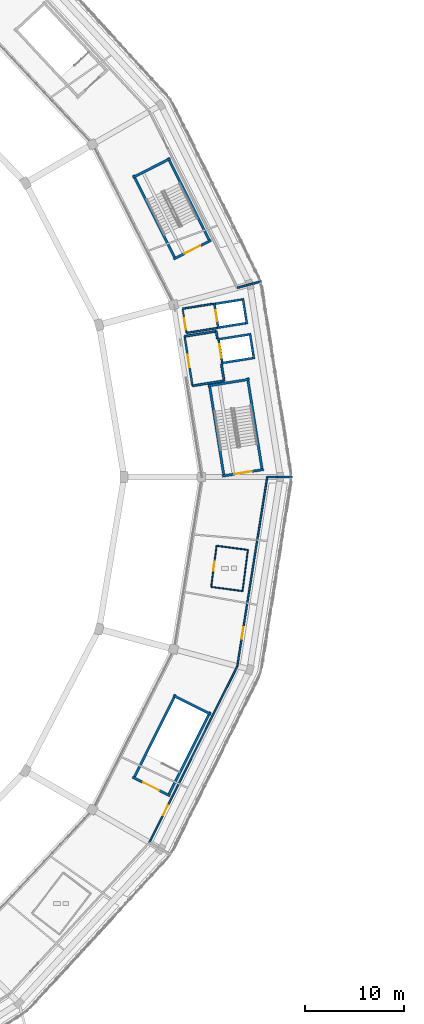
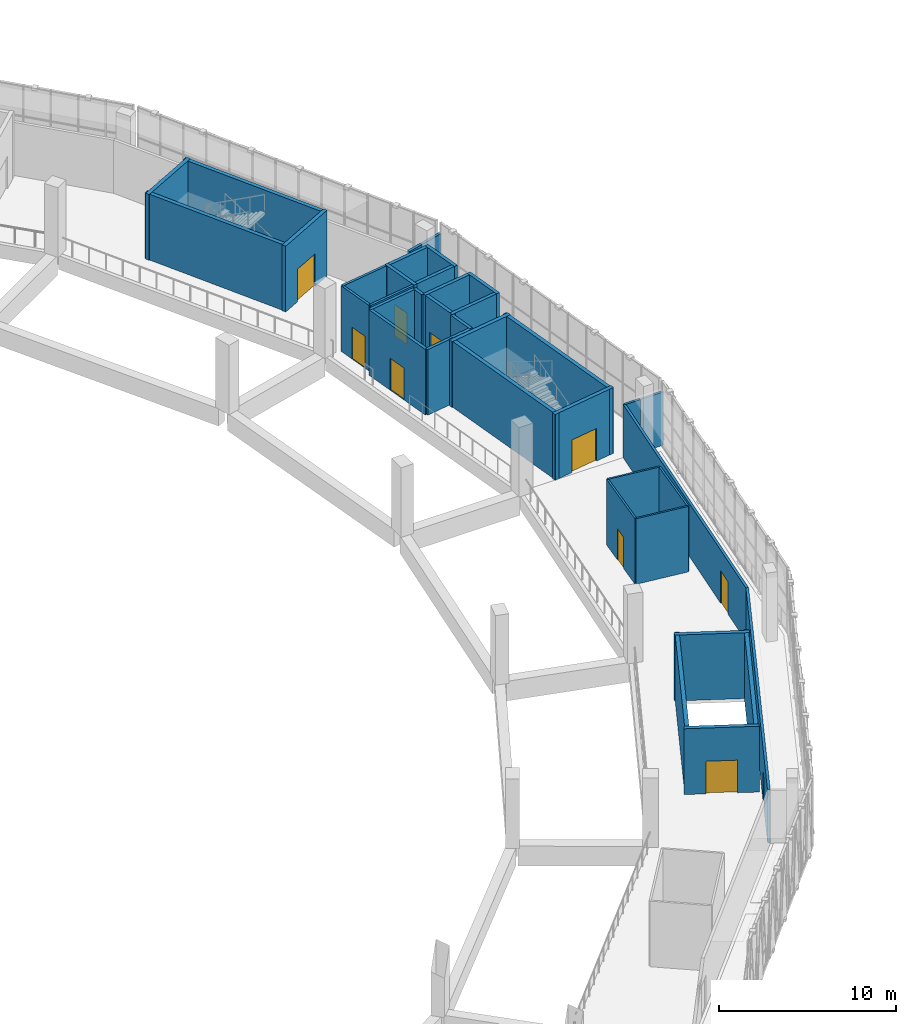
# One storey, part 70 of 108: 38 walls, 10 doors, 10 openings.
"""IFC4 building model written with IfcOpenShell, lengths in metres."""

from ifc_helpers import new_model, si_unit, direction, frame, frame_2d, origin, place, context, subcontext, project, spatial, rectangle, extrude, material, layer, layer_set, type_object, element, fill, save


model = new_model("IFC4")

# Units and contexts
model_context = context("Model", 3, precision=1e-05, world=origin(), true_north=direction((0.0, 1.0)))
body_context = subcontext(model_context, "Body", "Model", "MODEL_VIEW")
ifc_project = project(units=[si_unit("LENGTHUNIT", "METRE"), si_unit("AREAUNIT", "SQUARE_METRE"), si_unit("VOLUMEUNIT", "CUBIC_METRE"), si_unit("PLANEANGLEUNIT", "RADIAN"), si_unit("MASSUNIT", "GRAM", prefix="KILO")], contexts=[model_context])

# Site, building, storey
site_placement = place(None, origin())
site = spatial("IfcSite", under=ifc_project, at=site_placement, CompositionType="ELEMENT")
building_placement = place(site_placement, origin())
building = spatial("IfcBuilding", under=site, at=building_placement, Name="Zevraka Park Crest Stadium", CompositionType="ELEMENT")
storey_placement = place(building_placement, frame((0.0, 0.0, 19.800048828125)))
storey = spatial("IfcBuildingStorey", under=building, at=storey_placement, Name="L04", CompositionType="ELEMENT", Elevation=19.800048828125)

# Walls
ifc_material_1 = material(Name="Autoclaved aerated masonry blockwork", Category="masonry")
ifc_layer_1 = layer(ifc_material_1, 0.199951171875)
ifc_layer_set_1 = layer_set([ifc_layer_1], Name="Autoclaved aerated masonry blockwork")
wall_type_1 = type_object("IfcWallType", Name="IW01", PredefinedType="PARTITIONING", material=ifc_layer_set_1)
wall_1_placement = place(storey_placement, frame((195.81689453125, 106.743896484375, 0.0), z_axis=(0.0, 0.0, 1.0), x_axis=(0.157482870509, -0.987521719, 0.0)))
element("IfcWall", 1, at=wall_1_placement, inside=storey, type_object=wall_type_1, Name="Firefighting Lift Lobby Wall IW01 FL01 L04 BACKL", PredefinedType="PARTITIONING", context=body_context, shape_type="SweptSolid", body=[
    extrude(rectangle(XDim=0.750244140625, YDim=0.199951171875, at=frame_2d((0.375, 0.0))), origin(), (0.0, 0.0, 1.0), 4.52001953125),
])
wall_2_placement = place(storey_placement, frame((196.343017578125, 103.43603515625, 0.0), z_axis=(0.0, 0.0, 1.0), x_axis=(0.156960903537, -0.987604817101, 0.0)))
element("IfcWall", 2, at=wall_2_placement, inside=storey, type_object=wall_type_1, Name="Firefighting Lift Lobby Wall IW01 FL01 L04 BACKR", PredefinedType="PARTITIONING", context=body_context, shape_type="SweptSolid", body=[
    extrude(rectangle(XDim=1.72021484375, YDim=0.199951171875, at=frame_2d((0.860107421875, 0.0))), origin(), (0.0, 0.0, 1.0), 4.52001953125),
])
wall_3_placement = place(storey_placement, frame((195.81689453125, 106.743896484375, 0.0), z_axis=(0.0, 0.0, 1.0), x_axis=(-0.987633675984, -0.156779214382, 0.0)))
element("IfcWall", 3, at=wall_3_placement, inside=storey, type_object=wall_type_1, Name="Firefighting Lift Lobby Wall IW01 FL01 L04 LEFT", PredefinedType="PARTITIONING", context=body_context, shape_type="SweptSolid", body=[
    extrude(rectangle(XDim=3.239013671875, YDim=0.199951171875, at=frame_2d((1.61962890625, 0.0))), origin(), (0.0, 0.0, 1.0), 4.52001953125),
])
wall_4_placement = place(storey_placement, frame((196.613037109375, 101.737060546875, 0.0), z_axis=(0.0, 0.0, 1.0), x_axis=(-0.987629416648, -0.156806043797, 0.0)))
element("IfcWall", 4, at=wall_4_placement, inside=storey, type_object=wall_type_1, Name="Firefighting Lift Lobby Wall IW01 FL01 L04 RIGHT", PredefinedType="PARTITIONING", context=body_context, shape_type="SweptSolid", body=[
    extrude(rectangle(XDim=3.239990234375, YDim=0.199951171875, at=frame_2d((1.6201171875, 0.0))), origin(), (0.0, 0.0, 1.0), 4.52001953125),
])

# Wall, opening, door
wall_5_placement = place(storey_placement, frame((192.617919921875, 106.236083984375, 0.0), z_axis=(0.0, 0.0, 1.0), x_axis=(0.156842848291, -0.987623572491, 0.0)))
wall_5 = element("IfcWall", 5, at=wall_5_placement, inside=storey, type_object=wall_type_1, Name="Firefighting Lift Lobby Wall IW01 FL01 L04 FRONT", PredefinedType="PARTITIONING", context=body_context, shape_type="SweptSolid", body=[
    extrude(rectangle(XDim=5.06982421875, YDim=0.199951171875, at=frame_2d((2.534912109375, 0.0))), origin(), (0.0, 0.0, 1.0), 4.52001953125),
])
opening_1_placement = place(wall_5_placement, frame((1.909912109375, 0.0, 0.0)))
opening_1 = element("IfcOpeningElement", 6, at=opening_1_placement, cuts=wall_5, Name="Opening D-L04-287", PredefinedType="OPENING", context=body_context, shape_type="SweptSolid", body=[
    extrude(rectangle(XDim=1.25, YDim=2.199951171875, at=frame_2d((0.625, 1.10009765625))), frame((0.0, 0.10986328125, 0.0), z_axis=(0.0, -1.0, 0.0), x_axis=(1.0, 0.0, 0.0)), (0.0, 0.0, 1.0), 0.219970703125),
])
ifc_material_2 = material(Name="Solid-core hardwood timber leaf in steel frame", Category="steel")
door_type_1 = type_object("IfcDoorType", Name="DR07", OperationType="NOTDEFINED", PredefinedType="DOOR", material=ifc_material_2)
door_1_placement = place(opening_1_placement, origin())
door_1 = element("IfcDoor", 7, at=door_1_placement, inside=storey, type_object=door_type_1, Name="Firefighting Lift Lobby FL01 Door D-L04-287", OperationType="SINGLE_SWING_LEFT", OverallHeight=2.199951171875, OverallWidth=1.25, PredefinedType="DOOR", context=body_context, shape_type="SweptSolid", body=[
    extrude(rectangle(XDim=1.25, YDim=2.199951171875, at=frame_2d((0.625, 1.10009765625))), frame((0.0, 0.02490234375, 0.0), z_axis=(0.0, -1.0, 0.0), x_axis=(1.0, 0.0, 0.0)), (0.0, 0.0, 1.0), 0.050048828125),
])
fill(opening_1, door_1)

# Walls
ifc_material_3 = material(Name="Fire-rated twin-stud acoustic drywall", Category="other")
ifc_layer_2 = layer(ifc_material_3, 0.159912109375)
ifc_layer_set_2 = layer_set([ifc_layer_2], Name="Fire-rated twin-stud acoustic drywall")
wall_type_2 = type_object("IfcWallType", Name="IW02", PredefinedType="PARTITIONING", material=ifc_layer_set_2)
wall_6_placement = place(storey_placement, frame((195.547119140625, 109.527099609375, 0.0), z_axis=(0.0, 0.0, 1.0), x_axis=(-0.987632121619, -0.156789005818, 0.0)))
element("IfcWall", 8, at=wall_6_placement, inside=storey, type_object=wall_type_2, Name="Passenger Lift Lobby Wall IW02 PL01 L04 LEFT", PredefinedType="PARTITIONING", context=body_context, shape_type="SweptSolid", body=[
    extrude(rectangle(XDim=3.17041015625, YDim=0.159912109375, at=frame_2d((1.585205078125, 0.0))), origin(), (0.0, 0.0, 1.0), 4.52001953125),
])
wall_7_placement = place(storey_placement, frame((195.93603515625, 107.076904296875, 0.0), z_axis=(0.0, 0.0, 1.0), x_axis=(-0.987644043639, -0.156713889186, 0.0)))
element("IfcWall", 9, at=wall_7_placement, inside=storey, type_object=wall_type_2, Name="Passenger Lift Lobby Wall IW02 PL01 L04 RIGHT", PredefinedType="PARTITIONING", context=body_context, shape_type="SweptSolid", body=[
    extrude(rectangle(XDim=3.170166015625, YDim=0.159912109375, at=frame_2d((1.5849609375, 0.0))), origin(), (0.0, 0.0, 1.0), 4.52001953125),
])

# Wall, opening, door
wall_8_placement = place(storey_placement, frame((192.416015625, 109.030029296875, 0.0), z_axis=(0.0, 0.0, 1.0), x_axis=(0.156781258489, -0.987633351496, 0.0)))
wall_8 = element("IfcWall", 10, at=wall_8_placement, inside=storey, type_object=wall_type_2, Name="Passenger Lift Lobby Wall IW02 PL01 L04 FRONT", PredefinedType="PARTITIONING", context=body_context, shape_type="SweptSolid", body=[
    extrude(rectangle(XDim=2.480712890625, YDim=0.159912109375, at=frame_2d((1.240234375, 0.0))), origin(), (0.0, 0.0, 1.0), 4.52001953125),
])
opening_2_placement = place(wall_8_placement, frame((0.962890625, 0.0, 0.0)))
opening_2 = element("IfcOpeningElement", 11, at=opening_2_placement, cuts=wall_8, Name="Opening D-L04-293", PredefinedType="OPENING", context=body_context, shape_type="SweptSolid", body=[
    extrude(rectangle(XDim=1.14990234375, YDim=2.199951171875, at=frame_2d((0.574951171875, 1.10009765625))), frame((0.0, 0.08984375, 0.0), z_axis=(0.0, -1.0, 0.0), x_axis=(1.0, 0.0, 0.0)), (0.0, 0.0, 1.0), 0.179931640625),
])
ifc_material_4 = material(Name="Solid-core hardwood timber leaf in steel frame", Category="steel")
door_type_2 = type_object("IfcDoorType", Name="DR03", OperationType="NOTDEFINED", PredefinedType="DOOR", material=ifc_material_4)
door_2_placement = place(opening_2_placement, origin())
door_2 = element("IfcDoor", 12, at=door_2_placement, inside=storey, type_object=door_type_2, Name="Passenger Lift Lobby PL01 Door D-L04-293", OperationType="SINGLE_SWING_LEFT", OverallHeight=2.199951171875, OverallWidth=1.14990234375, PredefinedType="DOOR", context=body_context, shape_type="SweptSolid", body=[
    extrude(rectangle(XDim=1.14990234375, YDim=2.199951171875, at=frame_2d((0.574951171875, 1.10009765625))), frame((0.0, 0.02490234375, 0.0), z_axis=(0.0, -1.0, 0.0), x_axis=(1.0, 0.0, 0.0)), (0.0, 0.0, 1.0), 0.050048828125),
])
fill(opening_2, door_2)

wall_9_placement = place(storey_placement, frame((189.05908203125, 55.010009765625, 0.0), z_axis=(0.0, 0.0, 1.0), x_axis=(0.44590512567, 0.895080230427, 0.0)))
wall_9 = element("IfcWall", 13, at=wall_9_placement, inside=storey, type_object=wall_type_2, Name="Interior Partition IW02 Executive Club Lounge L04", PredefinedType="PARTITIONING", context=body_context, shape_type="SweptSolid", body=[
    extrude(rectangle(XDim=19.9345703125, YDim=0.159912109375, at=frame_2d((9.96728515625, 0.0))), origin(), (0.0, 0.0, 1.0), 3.6650390625),
])
opening_3_placement = place(wall_9_placement, frame((3.093994140625, 0.0, 0.0)))
opening_3 = element("IfcOpeningElement", 14, at=opening_3_placement, cuts=wall_9, Name="Opening D-L04-490", PredefinedType="OPENING", context=body_context, shape_type="SweptSolid", body=[
    extrude(rectangle(XDim=1.10009765625, YDim=2.14990234375, at=frame_2d((0.550048828125, 1.074951171875))), frame((0.0, 0.08984375, 0.0), z_axis=(0.0, -1.0, 0.0), x_axis=(1.0, 0.0, 0.0)), (0.0, 0.0, 1.0), 0.179931640625),
])
ifc_material_5 = material(Name="Solid-core hardwood timber leaf in steel frame", Category="steel")
door_type_3 = type_object("IfcDoorType", Name="DR10", OperationType="NOTDEFINED", PredefinedType="DOOR", material=ifc_material_5)
door_3_placement = place(opening_3_placement, origin())
door_3 = element("IfcDoor", 15, at=door_3_placement, inside=storey, type_object=door_type_3, Name="Executive Club Lounge Door D-L04-490", OperationType="SINGLE_SWING_RIGHT", OverallHeight=2.14990234375, OverallWidth=1.10009765625, PredefinedType="DOOR", context=body_context, shape_type="SweptSolid", body=[
    extrude(rectangle(XDim=1.10009765625, YDim=2.14990234375, at=frame_2d((0.550048828125, 1.074951171875))), frame((0.0, 0.02490234375, 0.0), z_axis=(0.0, -1.0, 0.0), x_axis=(1.0, 0.0, 0.0)), (0.0, 0.0, 1.0), 0.050048828125),
])
fill(opening_3, door_3)

wall_10_placement = place(storey_placement, frame((197.947998046875, 72.85302734375, 0.0), z_axis=(0.0, 0.0, 1.0), x_axis=(0.156404265147, 0.987693123315, 0.0)))
wall_10 = element("IfcWall", 16, at=wall_10_placement, inside=storey, type_object=wall_type_2, Name="Interior Partition IW02 Executive Club Lounge L04", PredefinedType="PARTITIONING", context=body_context, shape_type="SweptSolid", body=[
    extrude(rectangle(XDim=19.385498046875, YDim=0.159912109375, at=frame_2d((9.69287109375, 0.0))), origin(), (0.0, 0.0, 1.0), 3.6650390625),
])
opening_4_placement = place(wall_10_placement, frame((2.7958984375, 0.0, 0.0)))
opening_4 = element("IfcOpeningElement", 17, at=opening_4_placement, cuts=wall_10, Name="Opening D-L04-491", PredefinedType="OPENING", context=body_context, shape_type="SweptSolid", body=[
    extrude(rectangle(XDim=1.199951171875, YDim=2.25, at=frame_2d((0.60009765625, 1.125))), frame((0.0, 0.08984375, 0.0), z_axis=(0.0, -1.0, 0.0), x_axis=(1.0, 0.0, 0.0)), (0.0, 0.0, 1.0), 0.179931640625),
])
ifc_material_6 = material(Name="Solid-core hardwood timber leaf in steel frame", Category="steel")
door_type_4 = type_object("IfcDoorType", Name="DR11", OperationType="NOTDEFINED", PredefinedType="DOOR", material=ifc_material_6)
door_4_placement = place(opening_4_placement, origin())
door_4 = element("IfcDoor", 18, at=door_4_placement, inside=storey, type_object=door_type_4, Name="Executive Club Lounge Door D-L04-491", OperationType="SINGLE_SWING_LEFT", OverallHeight=2.25, OverallWidth=1.199951171875, PredefinedType="DOOR", context=body_context, shape_type="SweptSolid", body=[
    extrude(rectangle(XDim=1.199951171875, YDim=2.25, at=frame_2d((0.60009765625, 1.125))), frame((0.0, 0.02490234375, 0.0), z_axis=(0.0, -1.0, 0.0), x_axis=(1.0, 0.0, 0.0)), (0.0, 0.0, 1.0), 0.050048828125),
])
fill(opening_4, door_4)

# Walls
wall_11_placement = place(storey_placement, frame((200.97998046875, 92.0, 0.0), z_axis=(0.0, 0.0, 1.0), x_axis=(1.0, 0.0, 0.0)))
element("IfcWall", 19, at=wall_11_placement, inside=storey, type_object=wall_type_2, Name="Interior Partition IW02 Executive Club Lounge L04", PredefinedType="PARTITIONING", context=body_context, shape_type="SweptSolid", body=[
    extrude(rectangle(XDim=1.010009765625, YDim=0.159912109375, at=frame_2d((0.5048828125, 0.0))), origin(), (0.0, 0.0, 1.0), 3.6650390625),
])
wall_12_placement = place(storey_placement, frame((201.97509765625, 92.0, 0.0), z_axis=(0.0, 0.0, 1.0), x_axis=(1.0, 0.0, 0.0)))
element("IfcWall", 20, at=wall_12_placement, inside=storey, type_object=wall_type_2, Name="Interior Partition IW02 Executive Club Lounge L04", PredefinedType="PARTITIONING", context=body_context, shape_type="SweptSolid", body=[
    extrude(rectangle(XDim=1.52490234375, YDim=0.159912109375, at=frame_2d((0.762451171875, 0.0))), origin(), (0.0, 0.0, 1.0), 3.6650390625),
])

# Wall, opening, door
ifc_material_7 = material(Name="Moisture-resistant sanitary partition", Category="other")
ifc_layer_3 = layer(ifc_material_7, 0.1201171875)
ifc_layer_set_3 = layer_set([ifc_layer_3], Name="Moisture-resistant sanitary partition")
wall_type_3 = type_object("IfcWallType", Name="IW04", PredefinedType="PARTITIONING", material=ifc_layer_set_3)
wall_13_placement = place(storey_placement, frame((195.304931640625, 80.873046875, 0.0), z_axis=(0.0, 0.0, 1.0), x_axis=(0.130499622762, 0.991448358947, 0.0)))
wall_13 = element("IfcWall", 21, at=wall_13_placement, inside=storey, type_object=wall_type_3, Name="Sanitary Enclosure Wall IW04 Accessible WC L04-003-1", PredefinedType="PARTITIONING", context=body_context, shape_type="SweptSolid", body=[
    extrude(rectangle(XDim=4.199951171875, YDim=0.1201171875, at=frame_2d((2.10009765625, 0.0))), origin(), (0.0, 0.0, 1.0), 4.52001953125),
])
opening_5_placement = place(wall_13_placement, frame((1.639892578125, 0.0, 0.0)))
opening_5 = element("IfcOpeningElement", 22, at=opening_5_placement, cuts=wall_13, Name="Opening D-L04-351", PredefinedType="OPENING", context=body_context, shape_type="SweptSolid", body=[
    extrude(rectangle(XDim=0.919921875, YDim=2.14990234375, at=frame_2d((0.4599609375, 1.074951171875))), frame((0.0, 0.070068359375, 0.0), z_axis=(0.0, -1.0, 0.0), x_axis=(1.0, 0.0, 0.0)), (0.0, 0.0, 1.0), 0.14013671875),
])
ifc_material_8 = material(Name="Solid-core hardwood timber leaf in steel frame", Category="steel")
door_type_5 = type_object("IfcDoorType", Name="DR20", OperationType="NOTDEFINED", PredefinedType="DOOR", material=ifc_material_8)
door_5_placement = place(opening_5_placement, origin())
door_5 = element("IfcDoor", 23, at=door_5_placement, inside=storey, type_object=door_type_5, Name="Accessible WC Door D-L04-351", OperationType="SINGLE_SWING_LEFT", OverallHeight=2.14990234375, OverallWidth=0.919921875, PredefinedType="DOOR", context=body_context, shape_type="SweptSolid", body=[
    extrude(rectangle(XDim=0.919921875, YDim=2.14990234375, at=frame_2d((0.4599609375, 1.074951171875))), frame((0.0, 0.02490234375, 0.0), z_axis=(0.0, -1.0, 0.0), x_axis=(1.0, 0.0, 0.0)), (0.0, 0.0, 1.0), 0.050048828125),
])
fill(opening_5, door_5)

# Walls
wall_14_placement = place(storey_placement, frame((195.85302734375, 85.037109375, 0.0), z_axis=(0.0, 0.0, 1.0), x_axis=(0.991424669245, -0.130679475101, 0.0)))
element("IfcWall", 24, at=wall_14_placement, inside=storey, type_object=wall_type_3, Name="Sanitary Enclosure Wall IW04 Accessible WC L04-003-2", PredefinedType="PARTITIONING", context=body_context, shape_type="SweptSolid", body=[
    extrude(rectangle(XDim=3.2001953125, YDim=0.1201171875, at=frame_2d((1.60009765625, 0.0))), origin(), (0.0, 0.0, 1.0), 4.52001953125),
])
wall_15_placement = place(storey_placement, frame((199.02587890625, 84.618896484375, 0.0), z_axis=(0.0, 0.0, 1.0), x_axis=(-0.130678565003, -0.991424789204, 0.0)))
element("IfcWall", 25, at=wall_15_placement, inside=storey, type_object=wall_type_3, Name="Sanitary Enclosure Wall IW04 Accessible WC L04-003-3", PredefinedType="PARTITIONING", context=body_context, shape_type="SweptSolid", body=[
    extrude(rectangle(XDim=4.199951171875, YDim=0.1201171875, at=frame_2d((2.10009765625, 0.0))), origin(), (0.0, 0.0, 1.0), 4.52001953125),
])
wall_16_placement = place(storey_placement, frame((198.47705078125, 80.455078125, 0.0), z_axis=(0.0, 0.0, 1.0), x_axis=(-0.991430644985, 0.13063413101, 0.0)))
element("IfcWall", 26, at=wall_16_placement, inside=storey, type_object=wall_type_3, Name="Sanitary Enclosure Wall IW04 Accessible WC L04-003-4", PredefinedType="PARTITIONING", context=body_context, shape_type="SweptSolid", body=[
    extrude(rectangle(XDim=3.199462890625, YDim=0.1201171875, at=frame_2d((1.599609375, 0.0))), origin(), (0.0, 0.0, 1.0), 4.52001953125),
])
ifc_material_9 = material(Name="Fire-rated twin-stud acoustic drywall", Category="other")
ifc_layer_4 = layer(ifc_material_9, 0.179931640625)
ifc_layer_set_4 = layer_set([ifc_layer_4], Name="Fire-rated twin-stud acoustic drywall")
wall_type_4 = type_object("IfcWallType", Name="IW06", PredefinedType="PARTITIONING", material=ifc_layer_set_4)
wall_17_placement = place(storey_placement, frame((197.947998046875, 111.14697265625, 0.0), z_axis=(0.0, 0.0, 1.0), x_axis=(0.96582071383, 0.259211011991, 0.0)))
element("IfcWall", 27, at=wall_17_placement, inside=storey, type_object=wall_type_4, Name="Interior Partition IW06 Presidential Banquet Lounge L04", PredefinedType="PARTITIONING", context=body_context, shape_type="SweptSolid", body=[
    extrude(rectangle(XDim=1.010498046875, YDim=0.179931640625, at=frame_2d((0.50537109375, 0.0))), origin(), (0.0, 0.0, 1.0), 3.6650390625),
])
wall_18_placement = place(storey_placement, frame((198.909912109375, 111.405029296875, 0.0), z_axis=(0.0, 0.0, 1.0), x_axis=(0.965835014872, 0.259157720408, 0.0)))
element("IfcWall", 28, at=wall_18_placement, inside=storey, type_object=wall_type_4, Name="Interior Partition IW06 Presidential Banquet Lounge L04", PredefinedType="PARTITIONING", context=body_context, shape_type="SweptSolid", body=[
    extrude(rectangle(XDim=1.524169921875, YDim=0.179931640625, at=frame_2d((0.76220703125, 0.0))), origin(), (0.0, 0.0, 1.0), 3.6650390625),
])
ifc_material_10 = material(Name="Concrete C40/50", Category="concrete")
ifc_layer_5 = layer(ifc_material_10, 0.25)
ifc_layer_set_5 = layer_set([ifc_layer_5], Name="Concrete C40/50")
wall_type_5 = type_object("IfcWallType", Name="SW01", PredefinedType="SHEAR", material=ifc_layer_set_5)
for number, where, z_axis, x_axis, name in (
    (29, (200.486328125, 92.611572265625, 0.0), (0.0, 0.0, 1.0), (-0.157268610044, 0.987555863886, 0.0), "Stair Core Shear Wall SW01 ST01 L04 left"),
    (30, (195.11328125, 101.426513671875, 0.0), (0.0, 0.0, 1.0), (0.157243678356, -0.987559833943, 0.0), "Stair Core Shear Wall SW01 ST01 L04 right"),
):
    element("IfcWall", number, at=place(storey_placement, frame(where, z_axis=z_axis, x_axis=x_axis)), inside=storey, type_object=wall_type_5, Name=name, PredefinedType="SHEAR", context=body_context, shape_type="SweptSolid", body=[
        extrude(rectangle(XDim=9.55029296875, YDim=0.25, at=frame_2d((4.775146484375, 0.0))), origin(), (0.0, 0.0, 1.0), 4.5400390625),
    ])

# Wall, opening, door
wall_19_placement = place(storey_placement, frame((196.427490234375, 92.092041015625, 0.0), z_axis=(0.0, 0.0, 1.0), x_axis=(0.987557660991, 0.157257324847, 0.0)))
wall_19 = element("IfcWall", 31, at=wall_19_placement, inside=storey, type_object=wall_type_5, Name="Stair Core Shear Wall SW01 ST01 L04 near", PredefinedType="SHEAR", context=body_context, shape_type="SweptSolid", body=[
    extrude(rectangle(XDim=4.260009765625, YDim=0.25, at=frame_2d((2.1298828125, 0.0))), origin(), (0.0, 0.0, 1.0), 4.5400390625),
])
opening_6_placement = place(wall_19_placement, frame((1.22998046875, 0.0, 0.0)))
opening_6 = element("IfcOpeningElement", 32, at=opening_6_placement, cuts=wall_19, Name="Opening D-L04-006", PredefinedType="OPENING", context=body_context, shape_type="SweptSolid", body=[
    extrude(rectangle(XDim=1.800048828125, YDim=2.25, at=frame_2d((0.89990234375, 1.125))), frame((0.0, 0.135009765625, 0.0), z_axis=(0.0, -1.0, 0.0), x_axis=(1.0, 0.0, 0.0)), (0.0, 0.0, 1.0), 0.27001953125),
])
ifc_material_11 = material(Name="Solid-core hardwood timber leaf in steel frame", Category="steel")
door_type_6 = type_object("IfcDoorType", Name="DR04", OperationType="NOTDEFINED", PredefinedType="DOOR", material=ifc_material_11)
door_6_placement = place(opening_6_placement, origin())
door_6 = element("IfcDoor", 33, at=door_6_placement, inside=storey, type_object=door_type_6, Name="Protected Stair Entry Door ST01 L04", OperationType="DOUBLE_DOOR_SINGLE_SWING", OverallHeight=2.25, OverallWidth=1.800048828125, PredefinedType="DOOR", context=body_context, shape_type="SweptSolid", body=[
    extrude(rectangle(XDim=1.800048828125, YDim=2.25, at=frame_2d((0.89990234375, 1.125))), frame((0.0, 0.02490234375, 0.0), z_axis=(0.0, -1.0, 0.0), x_axis=(1.0, 0.0, 0.0)), (0.0, 0.0, 1.0), 0.050048828125),
])
fill(opening_6, door_6)

# Walls
wall_20_placement = place(storey_placement, frame((199.181396484375, 101.886962890625, 0.0), z_axis=(0.0, 0.0, 1.0), x_axis=(-0.987557660991, -0.157257324847, 0.0)))
element("IfcWall", 34, at=wall_20_placement, inside=storey, type_object=wall_type_5, Name="Stair Core Shear Wall SW01 ST01 L04 far", PredefinedType="SHEAR", context=body_context, shape_type="SweptSolid", body=[
    extrude(rectangle(XDim=4.260009765625, YDim=0.25, at=frame_2d((2.1298828125, 0.0))), origin(), (0.0, 0.0, 1.0), 4.5400390625),
])
for number, where, z_axis, x_axis, name in (
    (35, (195.214599609375, 115.7744140625, 0.0), (0.0, 0.0, 1.0), (-0.447919041961, 0.894074119885, 0.0), "Stair Core Shear Wall SW01 ST02 L04 left"),
    (36, (187.43212890625, 122.556884765625, 0.0), (0.0, 0.0, 1.0), (0.447919041961, -0.894074119885, 0.0), "Stair Core Shear Wall SW01 ST02 L04 right"),
):
    element("IfcWall", number, at=place(storey_placement, frame(where, z_axis=z_axis, x_axis=x_axis)), inside=storey, type_object=wall_type_5, Name=name, PredefinedType="SHEAR", context=body_context, shape_type="SweptSolid", body=[
        extrude(rectangle(XDim=9.5498046875, YDim=0.25, at=frame_2d((4.77490234375, 0.0))), origin(), (0.0, 0.0, 1.0), 4.5400390625),
    ])

# Wall, opening, door
wall_21_placement = place(storey_placement, frame((191.501708984375, 114.05419921875, 0.0), z_axis=(0.0, 0.0, 1.0), x_axis=(0.89409454548, 0.447878268888, 0.0)))
wall_21 = element("IfcWall", 37, at=wall_21_placement, inside=storey, type_object=wall_type_5, Name="Stair Core Shear Wall SW01 ST02 L04 near", PredefinedType="SHEAR", context=body_context, shape_type="SweptSolid", body=[
    extrude(rectangle(XDim=4.260009765625, YDim=0.25, at=frame_2d((2.1298828125, 0.0))), origin(), (0.0, 0.0, 1.0), 4.5400390625),
])
opening_7_placement = place(wall_21_placement, frame((1.22998046875, 0.0, 0.0)))
opening_7 = element("IfcOpeningElement", 38, at=opening_7_placement, cuts=wall_21, Name="Opening D-L04-013", PredefinedType="OPENING", context=body_context, shape_type="SweptSolid", body=[
    extrude(rectangle(XDim=1.800048828125, YDim=2.25, at=frame_2d((0.89990234375, 1.125))), frame((0.0, 0.135009765625, 0.0), z_axis=(0.0, -1.0, 0.0), x_axis=(1.0, 0.0, 0.0)), (0.0, 0.0, 1.0), 0.27001953125),
])
door_7_placement = place(opening_7_placement, origin())
door_7 = element("IfcDoor", 39, at=door_7_placement, inside=storey, type_object=door_type_6, Name="Protected Stair Entry Door ST02 L04", OperationType="DOUBLE_DOOR_SINGLE_SWING", OverallHeight=2.25, OverallWidth=1.800048828125, PredefinedType="DOOR", context=body_context, shape_type="SweptSolid", body=[
    extrude(rectangle(XDim=1.800048828125, YDim=2.25, at=frame_2d((0.89990234375, 1.125))), frame((0.0, 0.02490234375, 0.0), z_axis=(0.0, -1.0, 0.0), x_axis=(1.0, 0.0, 0.0)), (0.0, 0.0, 1.0), 0.050048828125),
])
fill(opening_7, door_7)

# Walls
wall_22_placement = place(storey_placement, frame((191.171875, 124.223388671875, 0.0), z_axis=(0.0, 0.0, 1.0), x_axis=(-0.89409454548, -0.447878268888, 0.0)))
element("IfcWall", 40, at=wall_22_placement, inside=storey, type_object=wall_type_5, Name="Stair Core Shear Wall SW01 ST02 L04 far", PredefinedType="SHEAR", context=body_context, shape_type="SweptSolid", body=[
    extrude(rectangle(XDim=4.260009765625, YDim=0.25, at=frame_2d((2.1298828125, 0.0))), origin(), (0.0, 0.0, 1.0), 4.5400390625),
])
wall_23_placement = place(storey_placement, frame((190.9365234375, 59.686767578125, 0.0), z_axis=(0.0, 0.0, 1.0), x_axis=(0.447919041961, 0.894074119885, 0.0)))
element("IfcWall", 41, at=wall_23_placement, inside=storey, type_object=wall_type_5, Name="Stair Core Shear Wall SW01 ST23 L04 left", PredefinedType="SHEAR", context=body_context, shape_type="SweptSolid", body=[
    extrude(rectangle(XDim=9.5498046875, YDim=0.25, at=frame_2d((4.77490234375, 0.0))), origin(), (0.0, 0.0, 1.0), 4.5400390625),
])
wall_24_placement = place(storey_placement, frame((191.70947265625, 69.98095703125, 0.0), z_axis=(0.0, 0.0, 1.0), x_axis=(-0.4479088042, -0.894079248792, 0.0)))
element("IfcWall", 42, at=wall_24_placement, inside=storey, type_object=wall_type_5, Name="Stair Core Shear Wall SW01 ST23 L04 right", PredefinedType="SHEAR", context=body_context, shape_type="SweptSolid", body=[
    extrude(rectangle(XDim=9.550048828125, YDim=0.25, at=frame_2d((4.77490234375, 0.0))), origin(), (0.0, 0.0, 1.0), 4.5400390625),
])

# Wall, opening, door
wall_25_placement = place(storey_placement, frame((187.335693359375, 61.63037109375, 0.0), z_axis=(0.0, 0.0, 1.0), x_axis=(0.894071595331, -0.447924081092, 0.0)))
wall_25 = element("IfcWall", 43, at=wall_25_placement, inside=storey, type_object=wall_type_5, Name="Stair Core Shear Wall SW01 ST23 L04 near", PredefinedType="SHEAR", context=body_context, shape_type="SweptSolid", body=[
    extrude(rectangle(XDim=4.260009765625, YDim=0.25, at=frame_2d((2.1298828125, 0.0))), origin(), (0.0, 0.0, 1.0), 4.5400390625),
])
opening_8_placement = place(wall_25_placement, frame((1.22998046875, 0.0, 0.0)))
opening_8 = element("IfcOpeningElement", 44, at=opening_8_placement, cuts=wall_25, Name="Opening D-L04-139", PredefinedType="OPENING", context=body_context, shape_type="SweptSolid", body=[
    extrude(rectangle(XDim=1.800048828125, YDim=2.25, at=frame_2d((0.89990234375, 1.125))), frame((0.0, 0.135009765625, 0.0), z_axis=(0.0, -1.0, 0.0), x_axis=(1.0, 0.0, 0.0)), (0.0, 0.0, 1.0), 0.27001953125),
])
door_8_placement = place(opening_8_placement, origin())
door_8 = element("IfcDoor", 45, at=door_8_placement, inside=storey, type_object=door_type_6, Name="Protected Stair Entry Door ST23 L04", OperationType="DOUBLE_DOOR_SINGLE_SWING", OverallHeight=2.25, OverallWidth=1.800048828125, PredefinedType="DOOR", context=body_context, shape_type="SweptSolid", body=[
    extrude(rectangle(XDim=1.800048828125, YDim=2.25, at=frame_2d((0.89990234375, 1.125))), frame((0.0, 0.02490234375, 0.0), z_axis=(0.0, -1.0, 0.0), x_axis=(1.0, 0.0, 0.0)), (0.0, 0.0, 1.0), 0.050048828125),
])
fill(opening_8, door_8)

# Walls
wall_26_placement = place(storey_placement, frame((195.283203125, 67.983642578125, 0.0), z_axis=(0.0, 0.0, 1.0), x_axis=(-0.894083048484, 0.447901219481, 0.0)))
element("IfcWall", 46, at=wall_26_placement, inside=storey, type_object=wall_type_5, Name="Stair Core Shear Wall SW01 ST23 L04 far", PredefinedType="SHEAR", context=body_context, shape_type="SweptSolid", body=[
    extrude(rectangle(XDim=4.259765625, YDim=0.25, at=frame_2d((2.1298828125, 0.0))), origin(), (0.0, 0.0, 1.0), 4.5400390625),
])
ifc_material_12 = material(Name="Concrete C40/50", Category="concrete")
ifc_layer_6 = layer(ifc_material_12, 0.219970703125)
ifc_layer_set_6 = layer_set([ifc_layer_6], Name="Concrete C40/50")
wall_type_6 = type_object("IfcWallType", Name="SW02", PredefinedType="SHEAR", material=ifc_layer_set_6)
wall_27_placement = place(storey_placement, frame((199.635009765625, 103.93701171875, 0.0), z_axis=(0.0, 0.0, 1.0), x_axis=(-0.156807626334, 0.987629165387, 0.0)))
element("IfcWall", 47, at=wall_27_placement, inside=storey, type_object=wall_type_6, Name="Lift Shaft Shear Wall SW02 FL01 L04-1", PredefinedType="SHEAR", context=body_context, shape_type="SweptSolid", body=[
    extrude(rectangle(XDim=2.640625, YDim=0.219970703125, at=frame_2d((1.3203125, 0.0))), origin(), (0.0, 0.0, 1.0), 4.5400390625),
])
wall_28_placement = place(storey_placement, frame((199.346923828125, 106.452880859375, 0.0), z_axis=(0.0, 0.0, 1.0), x_axis=(-0.987703627881, -0.156337914372, 0.0)))
element("IfcWall", 48, at=wall_28_placement, inside=storey, type_object=wall_type_6, Name="Lift Shaft Shear Wall SW02 FL01 L04-2", PredefinedType="SHEAR", context=body_context, shape_type="SweptSolid", body=[
    extrude(rectangle(XDim=3.440185546875, YDim=0.219970703125, at=frame_2d((1.72021484375, 0.0))), origin(), (0.0, 0.0, 1.0), 4.5400390625),
])

# Wall, opening, door
wall_29_placement = place(storey_placement, frame((196.041015625, 106.041015625, 0.0), z_axis=(0.0, 0.0, 1.0), x_axis=(0.156807626334, -0.987629165387, 0.0)))
wall_29 = element("IfcWall", 49, at=wall_29_placement, inside=storey, type_object=wall_type_6, Name="Lift Shaft Shear Wall SW02 FL01 L04-3", PredefinedType="SHEAR", context=body_context, shape_type="SweptSolid", body=[
    extrude(rectangle(XDim=2.640625, YDim=0.219970703125, at=frame_2d((1.3203125, 0.0))), origin(), (0.0, 0.0, 1.0), 4.5400390625),
])
opening_9_placement = place(wall_29_placement, frame((0.6201171875, 0.0, 0.0)))
opening_9 = element("IfcOpeningElement", 50, at=opening_9_placement, cuts=wall_29, Name="Opening LD-FL01-L04", PredefinedType="OPENING", context=body_context, shape_type="SweptSolid", body=[
    extrude(rectangle(XDim=1.39990234375, YDim=2.199951171875, at=frame_2d((0.699951171875, 1.10009765625))), frame((0.0, 0.119873046875, 0.0), z_axis=(0.0, -1.0, 0.0), x_axis=(1.0, 0.0, 0.0)), (0.0, 0.0, 1.0), 0.239990234375),
])
ifc_material_13 = material(Name="Brushed stainless steel lift landing doors", Category="steel")
door_type_7 = type_object("IfcDoorType", Name="LD01", OperationType="NOTDEFINED", PredefinedType="DOOR", material=ifc_material_13)
door_9_placement = place(opening_9_placement, origin())
door_9 = element("IfcDoor", 51, at=door_9_placement, inside=storey, type_object=door_type_7, Name="Lift Sliding Landing Door LD-FL01-L04", OperationType="SLIDING_TO_LEFT", OverallHeight=2.199951171875, OverallWidth=1.39990234375, PredefinedType="DOOR", context=body_context, shape_type="SweptSolid", body=[
    extrude(rectangle(XDim=1.39990234375, YDim=2.199951171875, at=frame_2d((0.699951171875, 1.10009765625))), frame((0.0, 0.02490234375, 0.0), z_axis=(0.0, -1.0, 0.0), x_axis=(1.0, 0.0, 0.0)), (0.0, 0.0, 1.0), 0.050048828125),
])
fill(opening_9, door_9)

# Walls
wall_30_placement = place(storey_placement, frame((196.3291015625, 103.52490234375, 0.0), z_axis=(0.0, 0.0, 1.0), x_axis=(0.987692667337, 0.156407144619, 0.0)))
element("IfcWall", 52, at=wall_30_placement, inside=storey, type_object=wall_type_6, Name="Lift Shaft Shear Wall SW02 FL01 L04-4", PredefinedType="SHEAR", context=body_context, shape_type="SweptSolid", body=[
    extrude(rectangle(XDim=3.440185546875, YDim=0.219970703125, at=frame_2d((1.72021484375, 0.0))), origin(), (0.0, 0.0, 1.0), 4.5400390625),
])
wall_31_placement = place(storey_placement, frame((198.922119140625, 107.469970703125, 0.0), z_axis=(0.0, 0.0, 1.0), x_axis=(-0.156807626334, 0.987629165387, 0.0)))
element("IfcWall", 53, at=wall_31_placement, inside=storey, type_object=wall_type_6, Name="Lift Shaft Shear Wall SW02 PL01 L04-1", PredefinedType="SHEAR", context=body_context, shape_type="SweptSolid", body=[
    extrude(rectangle(XDim=2.640625, YDim=0.219970703125, at=frame_2d((1.3203125, 0.0))), origin(), (0.0, 0.0, 1.0), 4.5400390625),
])
wall_32_placement = place(storey_placement, frame((198.634033203125, 109.986083984375, 0.0), z_axis=(0.0, 0.0, 1.0), x_axis=(-0.987645460109, -0.156704962032, 0.0)))
element("IfcWall", 54, at=wall_32_placement, inside=storey, type_object=wall_type_6, Name="Lift Shaft Shear Wall SW02 PL01 L04-2", PredefinedType="SHEAR", context=body_context, shape_type="SweptSolid", body=[
    extrude(rectangle(XDim=3.140869140625, YDim=0.219970703125, at=frame_2d((1.5703125, 0.0))), origin(), (0.0, 0.0, 1.0), 4.5400390625),
])

# Wall, opening, door
wall_33_placement = place(storey_placement, frame((195.6240234375, 109.6201171875, 0.0), z_axis=(0.0, 0.0, 1.0), x_axis=(0.156793308963, -0.987631438475, 0.0)))
wall_33 = element("IfcWall", 55, at=wall_33_placement, inside=storey, type_object=wall_type_6, Name="Lift Shaft Shear Wall SW02 PL01 L04-3", PredefinedType="SHEAR", context=body_context, shape_type="SweptSolid", body=[
    extrude(rectangle(XDim=2.640869140625, YDim=0.219970703125, at=frame_2d((1.3203125, 0.0))), origin(), (0.0, 0.0, 1.0), 4.5400390625),
])
opening_10_placement = place(wall_33_placement, frame((0.77001953125, 0.0, 0.0)))
opening_10 = element("IfcOpeningElement", 56, at=opening_10_placement, cuts=wall_33, Name="Opening LD-PL01-L04", PredefinedType="OPENING", context=body_context, shape_type="SweptSolid", body=[
    extrude(rectangle(XDim=1.10009765625, YDim=2.14990234375, at=frame_2d((0.550048828125, 1.074951171875))), frame((0.0, 0.119873046875, 0.0), z_axis=(0.0, -1.0, 0.0), x_axis=(1.0, 0.0, 0.0)), (0.0, 0.0, 1.0), 0.239990234375),
])
ifc_material_14 = material(Name="Brushed stainless steel lift landing doors", Category="steel")
door_type_8 = type_object("IfcDoorType", Name="LD02", OperationType="NOTDEFINED", PredefinedType="DOOR", material=ifc_material_14)
door_10_placement = place(opening_10_placement, origin())
door_10 = element("IfcDoor", 57, at=door_10_placement, inside=storey, type_object=door_type_8, Name="Lift Sliding Landing Door LD-PL01-L04", OperationType="SLIDING_TO_LEFT", OverallHeight=2.14990234375, OverallWidth=1.10009765625, PredefinedType="DOOR", context=body_context, shape_type="SweptSolid", body=[
    extrude(rectangle(XDim=1.10009765625, YDim=2.14990234375, at=frame_2d((0.550048828125, 1.074951171875))), frame((0.0, 0.02490234375, 0.0), z_axis=(0.0, -1.0, 0.0), x_axis=(1.0, 0.0, 0.0)), (0.0, 0.0, 1.0), 0.050048828125),
])
fill(opening_10, door_10)

# Wall
wall_34_placement = place(storey_placement, frame((195.912109375, 107.10400390625, 0.0), z_axis=(0.0, 0.0, 1.0), x_axis=(0.98765558045, 0.156641164471, 0.0)))
element("IfcWall", 58, at=wall_34_placement, inside=storey, type_object=wall_type_6, Name="Lift Shaft Shear Wall SW02 PL01 L04-4", PredefinedType="SHEAR", context=body_context, shape_type="SweptSolid", body=[
    extrude(rectangle(XDim=3.140625, YDim=0.219970703125, at=frame_2d((1.5703125, 0.0))), origin(), (0.0, 0.0, 1.0), 4.5400390625),
])

save(model, "model.ifc")
